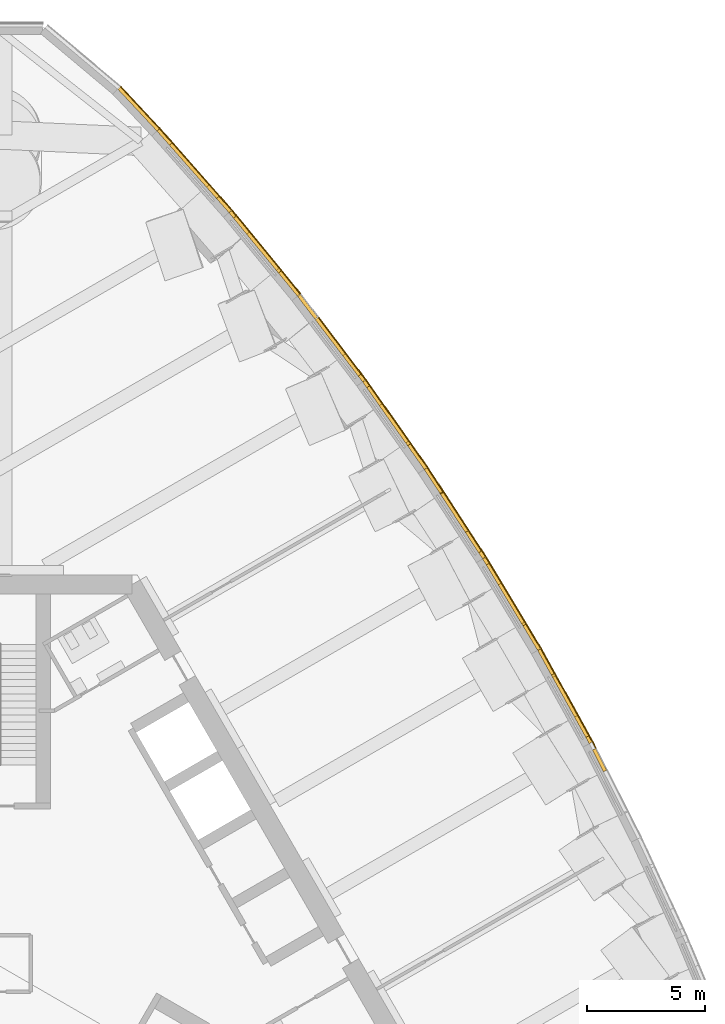
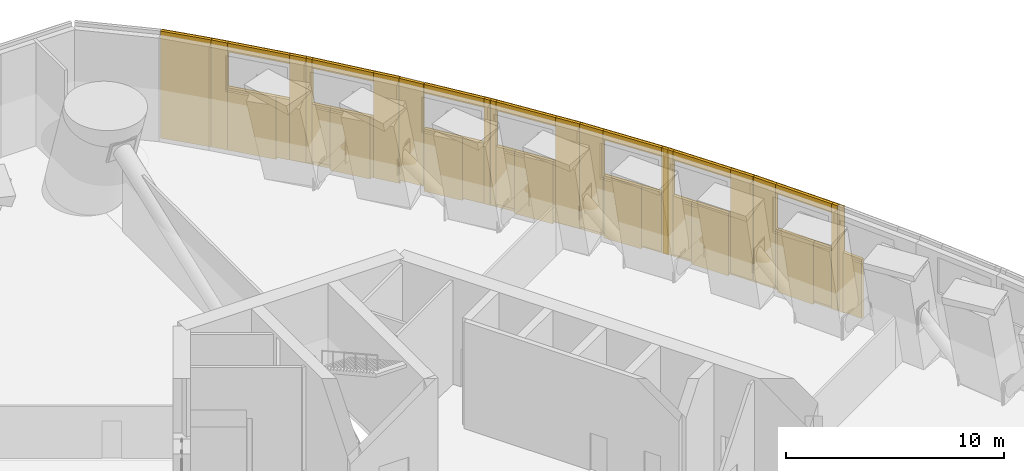
# One storey, part 20 of 25: 70 coverings.
"""IFC4 building model written with IfcOpenShell, lengths in metres."""

from ifc_helpers import new_model, si_unit, direction, frame, origin, origin_2d, place, context, subcontext, project, spatial, rectangle, extrude, material, layer, layer_set, type_object, element, save


model = new_model("IFC4")

# Units and contexts
model_context = context("Model", 3, precision=1e-05, world=origin(), true_north=direction((0.0, 1.0)))
body_context = subcontext(model_context, "Body", "Model", "MODEL_VIEW")
ifc_project = project(units=[si_unit("LENGTHUNIT", "METRE"), si_unit("AREAUNIT", "SQUARE_METRE"), si_unit("VOLUMEUNIT", "CUBIC_METRE"), si_unit("PLANEANGLEUNIT", "RADIAN"), si_unit("MASSUNIT", "GRAM", prefix="KILO")], contexts=[model_context])

# Site, building, storey
site_placement = place(None, origin())
site = spatial("IfcSite", under=ifc_project, at=site_placement, CompositionType="ELEMENT")
building_placement = place(site_placement, origin())
building = spatial("IfcBuilding", under=site, at=building_placement, Name="Trefoil Bronze Tower", CompositionType="ELEMENT")
storey_placement = place(building_placement, frame((0.0, 0.0, 178.699951171875)))
storey = spatial("IfcBuildingStorey", under=building, at=storey_placement, Name="L41", CompositionType="ELEMENT", Elevation=178.699951171875)

# Coverings
ifc_material_1 = material(Name="Bronze-finish aluminium rainscreen panel on aluminium rails", Category="aluminium")
ifc_layer_1 = layer(ifc_material_1, 0.0400390625)
ifc_layer_set_1 = layer_set([ifc_layer_1], Name="Bronze cladding panel 40")
covering_type_1 = type_object("IfcCoveringType", Name="Bronze cladding panel 40", PredefinedType="CLADDING", material=ifc_layer_set_1)
for number, where, z_axis, x_axis, name in (
    (1, (25.30908203125, 9.22314453125, 0.0), (0.0, 0.0, 1.0), (-0.452448919873, 0.891790320034, 0.0), "Cladding panel L41 Face 2.6 piece 2"),
    (2, (25.163330078125, 9.498291015625, 0.0), (0.0, 0.0, 1.0), (-0.484312195683, 0.874895249223, 0.0), "Cladding panel L41 Face 2.7 piece 1"),
):
    element("IfcCovering", number, at=place(storey_placement, frame(where, z_axis=z_axis, x_axis=x_axis)), inside=storey, type_object=covering_type_1, Name=name, PredefinedType="CLADDING", context=body_context, shape_type="SweptSolid", body=[
        extrude(rectangle(XDim=0.300048828125, YDim=0.0400390625, at=origin_2d()), origin(), (0.0, 0.0, 1.0), 6.0),
    ])
covering_1_placement = place(storey_placement, frame((23.346923828125, 12.779541015625, 0.0), z_axis=(0.0, 0.0, 1.0), x_axis=(-0.484312195683, 0.874895249223, 0.0)))
element("IfcCovering", 3, at=covering_1_placement, inside=storey, type_object=covering_type_1, Name="Cladding panel L41 Face 2.7 piece 2", PredefinedType="CLADDING", context=body_context, shape_type="SweptSolid", body=[
    extrude(rectangle(XDim=1.20068359375, YDim=0.0400390625, at=origin_2d()), origin(), (0.0, 0.0, 1.0), 6.0),
])
covering_2_placement = place(storey_placement, frame((24.3642578125, 10.94189453125, 0.0), z_axis=(0.0, 0.0, 1.0), x_axis=(-0.484312195683, 0.874895249223, 0.0)))
element("IfcCovering", 4, at=covering_2_placement, inside=storey, type_object=covering_type_1, Name="Cladding panel L41 Face 2.7 piece 3", PredefinedType="CLADDING", context=body_context, shape_type="SweptSolid", body=[
    extrude(rectangle(XDim=3.0, YDim=0.0400390625, at=origin_2d()), origin(), (0.0, 0.0, 1.0), 3.5),
])
covering_3_placement = place(storey_placement, frame((24.3642578125, 10.94189453125, 5.5), z_axis=(0.0, 0.0, 1.0), x_axis=(-0.484312195683, 0.874895249223, 0.0)))
element("IfcCovering", 5, at=covering_3_placement, inside=storey, type_object=covering_type_1, Name="Cladding panel L41 Face 2.7 piece 4", PredefinedType="CLADDING", context=body_context, shape_type="SweptSolid", body=[
    extrude(rectangle(XDim=3.0, YDim=0.0400390625, at=origin_2d()), origin(), (0.0, 0.0, 1.0), 0.5),
])
covering_4_placement = place(storey_placement, frame((22.740966796875, 13.829345703125, 0.0), z_axis=(0.0, 0.0, 1.0), x_axis=(-0.515525413546, 0.85687428949, 0.0)))
element("IfcCovering", 6, at=covering_4_placement, inside=storey, type_object=covering_type_1, Name="Cladding panel L41 Face 2.8 piece 1", PredefinedType="CLADDING", context=body_context, shape_type="SweptSolid", body=[
    extrude(rectangle(XDim=1.20068359375, YDim=0.0400390625, at=origin_2d()), origin(), (0.0, 0.0, 1.0), 6.0),
])
covering_5_placement = place(storey_placement, frame((20.807373046875, 17.042724609375, 0.0), z_axis=(0.0, 0.0, 1.0), x_axis=(-0.515525413546, 0.85687428949, 0.0)))
element("IfcCovering", 7, at=covering_5_placement, inside=storey, type_object=covering_type_1, Name="Cladding panel L41 Face 2.8 piece 2", PredefinedType="CLADDING", context=body_context, shape_type="SweptSolid", body=[
    extrude(rectangle(XDim=0.300048828125, YDim=0.0400390625, at=origin_2d()), origin(), (0.0, 0.0, 1.0), 6.0),
])
covering_6_placement = place(storey_placement, frame((21.658203125, 15.62890625, 0.0), z_axis=(0.0, 0.0, 1.0), x_axis=(-0.515525413546, 0.85687428949, 0.0)))
element("IfcCovering", 8, at=covering_6_placement, inside=storey, type_object=covering_type_1, Name="Cladding panel L41 Face 2.8 piece 3", PredefinedType="CLADDING", context=body_context, shape_type="SweptSolid", body=[
    extrude(rectangle(XDim=3.0, YDim=0.0400390625, at=origin_2d()), origin(), (0.0, 0.0, 1.0), 3.5),
])
covering_7_placement = place(storey_placement, frame((21.658203125, 15.62890625, 5.5), z_axis=(0.0, 0.0, 1.0), x_axis=(-0.515525413546, 0.85687428949, 0.0)))
element("IfcCovering", 9, at=covering_7_placement, inside=storey, type_object=covering_type_1, Name="Cladding panel L41 Face 2.8 piece 4", PredefinedType="CLADDING", context=body_context, shape_type="SweptSolid", body=[
    extrude(rectangle(XDim=3.0, YDim=0.0400390625, at=origin_2d()), origin(), (0.0, 0.0, 1.0), 0.5),
])
covering_8_placement = place(storey_placement, frame((20.64208984375, 17.306884765625, 0.0), z_axis=(0.0, 0.0, 1.0), x_axis=(-0.546088612179, 0.837727418465, 0.0)))
element("IfcCovering", 10, at=covering_8_placement, inside=storey, type_object=covering_type_1, Name="Cladding panel L41 Face 2.9 piece 1", PredefinedType="CLADDING", context=body_context, shape_type="SweptSolid", body=[
    extrude(rectangle(XDim=0.300048828125, YDim=0.0400390625, at=origin_2d()), origin(), (0.0, 0.0, 1.0), 6.0),
])
covering_9_placement = place(storey_placement, frame((18.592529296875, 20.450927734375, 0.0), z_axis=(0.0, 0.0, 1.0), x_axis=(-0.546088612179, 0.837727418465, 0.0)))
element("IfcCovering", 11, at=covering_9_placement, inside=storey, type_object=covering_type_1, Name="Cladding panel L41 Face 2.9 piece 2", PredefinedType="CLADDING", context=body_context, shape_type="SweptSolid", body=[
    extrude(rectangle(XDim=1.20654296875, YDim=0.0400390625, at=origin_2d()), origin(), (0.0, 0.0, 1.0), 6.0),
])
covering_10_placement = place(storey_placement, frame((19.740966796875, 18.68896484375, 0.0), z_axis=(0.0, 0.0, 1.0), x_axis=(-0.546088612179, 0.837727418465, 0.0)))
element("IfcCovering", 12, at=covering_10_placement, inside=storey, type_object=covering_type_1, Name="Cladding panel L41 Face 2.9 piece 3", PredefinedType="CLADDING", context=body_context, shape_type="SweptSolid", body=[
    extrude(rectangle(XDim=3.0, YDim=0.0400390625, at=origin_2d()), origin(), (0.0, 0.0, 1.0), 3.5),
])
covering_11_placement = place(storey_placement, frame((19.740966796875, 18.68896484375, 5.5), z_axis=(0.0, 0.0, 1.0), x_axis=(-0.546088612179, 0.837727418465, 0.0)))
element("IfcCovering", 13, at=covering_11_placement, inside=storey, type_object=covering_type_1, Name="Cladding panel L41 Face 2.9 piece 4", PredefinedType="CLADDING", context=body_context, shape_type="SweptSolid", body=[
    extrude(rectangle(XDim=3.0, YDim=0.0400390625, at=origin_2d()), origin(), (0.0, 0.0, 1.0), 0.5),
])
covering_12_placement = place(storey_placement, frame((17.905517578125, 21.464111328125, 0.0), z_axis=(0.0, 0.0, 1.0), x_axis=(-0.575999283347, 0.817450197617, 0.0)))
element("IfcCovering", 14, at=covering_12_placement, inside=storey, type_object=covering_type_1, Name="Cladding panel L41 Face 2.10 piece 1", PredefinedType="CLADDING", context=body_context, shape_type="SweptSolid", body=[
    extrude(rectangle(XDim=1.21826171875, YDim=0.0400390625, at=origin_2d()), origin(), (0.0, 0.0, 1.0), 6.0),
])
covering_13_placement = place(storey_placement, frame((15.740234375, 24.536865234375, 0.0), z_axis=(0.0, 0.0, 1.0), x_axis=(-0.575999283347, 0.817450197617, 0.0)))
element("IfcCovering", 15, at=covering_13_placement, inside=storey, type_object=covering_type_1, Name="Cladding panel L41 Face 2.10 piece 2", PredefinedType="CLADDING", context=body_context, shape_type="SweptSolid", body=[
    extrude(rectangle(XDim=0.300048828125, YDim=0.0400390625, at=origin_2d()), origin(), (0.0, 0.0, 1.0), 6.0),
])
covering_14_placement = place(storey_placement, frame((16.690673828125, 23.188232421875, 0.0), z_axis=(0.0, 0.0, 1.0), x_axis=(-0.575999283347, 0.817450197617, 0.0)))
element("IfcCovering", 16, at=covering_14_placement, inside=storey, type_object=covering_type_1, Name="Cladding panel L41 Face 2.10 piece 3", PredefinedType="CLADDING", context=body_context, shape_type="SweptSolid", body=[
    extrude(rectangle(XDim=3.0, YDim=0.0400390625, at=origin_2d()), origin(), (0.0, 0.0, 1.0), 3.5),
])
covering_15_placement = place(storey_placement, frame((16.690673828125, 23.188232421875, 5.5), z_axis=(0.0, 0.0, 1.0), x_axis=(-0.575999283347, 0.817450197617, 0.0)))
element("IfcCovering", 17, at=covering_15_placement, inside=storey, type_object=covering_type_1, Name="Cladding panel L41 Face 2.10 piece 4", PredefinedType="CLADDING", context=body_context, shape_type="SweptSolid", body=[
    extrude(rectangle(XDim=3.0, YDim=0.0400390625, at=origin_2d()), origin(), (0.0, 0.0, 1.0), 0.5),
])
covering_16_placement = place(storey_placement, frame((15.556396484375, 24.788330078125, 0.0), z_axis=(0.0, 0.0, 1.0), x_axis=(-0.605252319997, 0.796033685932, 0.0)))
element("IfcCovering", 18, at=covering_16_placement, inside=storey, type_object=covering_type_1, Name="Cladding panel L41 Face 2.11 piece 1", PredefinedType="CLADDING", context=body_context, shape_type="SweptSolid", body=[
    extrude(rectangle(XDim=0.300048828125, YDim=0.0400390625, at=origin_2d()), origin(), (0.0, 0.0, 1.0), 6.0),
])
covering_17_placement = place(storey_placement, frame((14.5576171875, 26.101806640625, 0.0), z_axis=(0.0, 0.0, 1.0), x_axis=(-0.605252319997, 0.796033685932, 0.0)))
element("IfcCovering", 19, at=covering_17_placement, inside=storey, type_object=covering_type_1, Name="Cladding panel L41 Face 2.11 piece 3", PredefinedType="CLADDING", context=body_context, shape_type="SweptSolid", body=[
    extrude(rectangle(XDim=3.0, YDim=0.0400390625, at=origin_2d()), origin(), (0.0, 0.0, 1.0), 3.5),
])
covering_18_placement = place(storey_placement, frame((14.5576171875, 26.101806640625, 5.5), z_axis=(0.0, 0.0, 1.0), x_axis=(-0.605252319997, 0.796033685932, 0.0)))
element("IfcCovering", 20, at=covering_18_placement, inside=storey, type_object=covering_type_1, Name="Cladding panel L41 Face 2.11 piece 4", PredefinedType="CLADDING", context=body_context, shape_type="SweptSolid", body=[
    extrude(rectangle(XDim=3.0, YDim=0.0400390625, at=origin_2d()), origin(), (0.0, 0.0, 1.0), 0.5),
])
covering_19_placement = place(storey_placement, frame((12.494873046875, 28.776611328125, 0.0), z_axis=(0.0, 0.0, 1.0), x_axis=(-0.63383991597, 0.773464259629, 0.0)))
element("IfcCovering", 21, at=covering_19_placement, inside=storey, type_object=covering_type_1, Name="Cladding panel L41 Face 2.12 piece 1", PredefinedType="CLADDING", context=body_context, shape_type="SweptSolid", body=[
    extrude(rectangle(XDim=1.260498046875, YDim=0.0400390625, at=origin_2d()), origin(), (0.0, 0.0, 1.0), 6.0),
])
covering_20_placement = place(storey_placement, frame((10.098876953125, 31.700439453125, 0.0), z_axis=(0.0, 0.0, 1.0), x_axis=(-0.63383991597, 0.773464259629, 0.0)))
element("IfcCovering", 22, at=covering_20_placement, inside=storey, type_object=covering_type_1, Name="Cladding panel L41 Face 2.12 piece 2", PredefinedType="CLADDING", context=body_context, shape_type="SweptSolid", body=[
    extrude(rectangle(XDim=0.300048828125, YDim=0.0400390625, at=origin_2d()), origin(), (0.0, 0.0, 1.0), 6.0),
])
covering_21_placement = place(storey_placement, frame((11.144775390625, 30.424072265625, 0.0), z_axis=(0.0, 0.0, 1.0), x_axis=(-0.63383991597, 0.773464259629, 0.0)))
element("IfcCovering", 23, at=covering_21_placement, inside=storey, type_object=covering_type_1, Name="Cladding panel L41 Face 2.12 piece 3", PredefinedType="CLADDING", context=body_context, shape_type="SweptSolid", body=[
    extrude(rectangle(XDim=3.0, YDim=0.0400390625, at=origin_2d()), origin(), (0.0, 0.0, 1.0), 3.5),
])
covering_22_placement = place(storey_placement, frame((11.144775390625, 30.424072265625, 5.5), z_axis=(0.0, 0.0, 1.0), x_axis=(-0.63383991597, 0.773464259629, 0.0)))
element("IfcCovering", 24, at=covering_22_placement, inside=storey, type_object=covering_type_1, Name="Cladding panel L41 Face 2.12 piece 4", PredefinedType="CLADDING", context=body_context, shape_type="SweptSolid", body=[
    extrude(rectangle(XDim=3.0, YDim=0.0400390625, at=origin_2d()), origin(), (0.0, 0.0, 1.0), 0.5),
])
for number, where, z_axis, x_axis, name in (
    (25, (9.73291015625, 32.12353515625, 0.0), (0.0, 0.0, 1.0), (-0.661751406057, 0.749723333358, 0.0), "Cladding panel L41 Face 2.13 piece 1"),
    (26, (7.22119140625, 34.96923828125, 0.0), (0.0, 0.0, 1.0), (-0.661751406057, 0.749723333358, 0.0), "Cladding panel L41 Face 2.13 piece 2"),
):
    element("IfcCovering", number, at=place(storey_placement, frame(where, z_axis=z_axis, x_axis=x_axis)), inside=storey, type_object=covering_type_1, Name=name, PredefinedType="CLADDING", context=body_context, shape_type="SweptSolid", body=[
        extrude(rectangle(XDim=0.795654296875, YDim=0.0400390625, at=origin_2d()), origin(), (0.0, 0.0, 1.0), 6.0),
    ])
covering_23_placement = place(storey_placement, frame((8.47705078125, 33.54638671875, 0.0), z_axis=(0.0, 0.0, 1.0), x_axis=(-0.661751406057, 0.749723333358, 0.0)))
element("IfcCovering", 27, at=covering_23_placement, inside=storey, type_object=covering_type_1, Name="Cladding panel L41 Face 2.13 piece 3", PredefinedType="CLADDING", context=body_context, shape_type="SweptSolid", body=[
    extrude(rectangle(XDim=3.0, YDim=0.0400390625, at=origin_2d()), origin(), (0.0, 0.0, 1.0), 3.5),
])
covering_24_placement = place(storey_placement, frame((8.47705078125, 33.54638671875, 5.5), z_axis=(0.0, 0.0, 1.0), x_axis=(-0.661751406057, 0.749723333358, 0.0)))
element("IfcCovering", 28, at=covering_24_placement, inside=storey, type_object=covering_type_1, Name="Cladding panel L41 Face 2.13 piece 4", PredefinedType="CLADDING", context=body_context, shape_type="SweptSolid", body=[
    extrude(rectangle(XDim=3.0, YDim=0.0400390625, at=origin_2d()), origin(), (0.0, 0.0, 1.0), 0.5),
])
covering_25_placement = place(storey_placement, frame((6.1259765625, 36.158447265625, 0.0), z_axis=(0.0, 0.0, 1.0), x_axis=(-0.682535770593, 0.730852188791, 0.0)))
element("IfcCovering", 29, at=covering_25_placement, inside=storey, type_object=covering_type_1, Name="Cladding panel L41 Face 2.14 piece 1", PredefinedType="CLADDING", context=body_context, shape_type="SweptSolid", body=[
    extrude(rectangle(XDim=2.420166015625, YDim=0.0400390625, at=origin_2d()), origin(), (0.0, 0.0, 1.0), 6.0),
])
ifc_material_2 = material(Name="Non-combustible mineral wool slab", Category="insulation")
ifc_layer_2 = layer(ifc_material_2, 0.14990234375)
ifc_layer_set_2 = layer_set([ifc_layer_2], Name="Rainscreen insulation 150")
covering_type_2 = type_object("IfcCoveringType", Name="Rainscreen insulation 150", PredefinedType="INSULATION", material=ifc_layer_set_2)
covering_26_placement = place(storey_placement, frame((25.525390625, 8.587158203125, 0.17529296875), z_axis=(0.0, 0.0, 1.0), x_axis=(-0.452448919873, 0.891790320034, 0.0)))
element("IfcCovering", 30, at=covering_26_placement, inside=storey, type_object=covering_type_2, Name="Insulation L41 Face 2.6 piece 3 part 2", PredefinedType="INSULATION", context=body_context, shape_type="SweptSolid", body=[
    extrude(rectangle(XDim=1.030029296875, YDim=0.14990234375, at=origin_2d()), origin(), (0.0, 0.0, 1.0), 3.324951171875),
])
covering_27_placement = place(storey_placement, frame((25.080078125, 9.452392578125, 0.125), z_axis=(0.0, 0.0, 1.0), x_axis=(-0.484312195683, 0.874895249223, 0.0)))
element("IfcCovering", 31, at=covering_27_placement, inside=storey, type_object=covering_type_2, Name="Insulation L41 Face 2.7 piece 1", PredefinedType="INSULATION", context=body_context, shape_type="SweptSolid", body=[
    extrude(rectangle(XDim=0.300048828125, YDim=0.14990234375, at=origin_2d()), origin(), (0.0, 0.0, 1.0), 5.875),
])
covering_28_placement = place(storey_placement, frame((23.263916015625, 12.733642578125, 0.1953125), z_axis=(0.0, 0.0, 1.0), x_axis=(-0.484312195683, 0.874895249223, 0.0)))
element("IfcCovering", 32, at=covering_28_placement, inside=storey, type_object=covering_type_2, Name="Insulation L41 Face 2.7 piece 2", PredefinedType="INSULATION", context=body_context, shape_type="SweptSolid", body=[
    extrude(rectangle(XDim=1.20068359375, YDim=0.14990234375, at=origin_2d()), origin(), (0.0, 0.0, 1.0), 5.804931640625),
])
covering_29_placement = place(storey_placement, frame((24.770263671875, 10.01220703125, 0.22509765625), z_axis=(0.0, 0.0, 1.0), x_axis=(-0.484312195683, 0.874895249223, 0.0)))
element("IfcCovering", 33, at=covering_29_placement, inside=storey, type_object=covering_type_2, Name="Insulation L41 Face 2.7 piece 3", PredefinedType="INSULATION", context=body_context, shape_type="SweptSolid", body=[
    extrude(rectangle(XDim=0.97998046875, YDim=0.14990234375, at=origin_2d()), origin(), (0.0, 0.0, 1.0), 3.27490234375),
])
covering_30_placement = place(storey_placement, frame((24.069091796875, 11.27880859375, 0.0), z_axis=(0.0, 0.0, 1.0), x_axis=(-0.484312195683, 0.874895249223, 0.0)))
element("IfcCovering", 34, at=covering_30_placement, inside=storey, type_object=covering_type_2, Name="Insulation L41 Face 2.7 piece 3 part 2", PredefinedType="INSULATION", context=body_context, shape_type="SweptSolid", body=[
    extrude(rectangle(XDim=1.9150390625, YDim=0.14990234375, at=origin_2d()), origin(), (0.0, 0.0, 1.0), 3.5),
])
covering_31_placement = place(storey_placement, frame((23.580078125, 12.162353515625, 0.2001953125), z_axis=(0.0, 0.0, 1.0), x_axis=(-0.484312195683, 0.874895249223, 0.0)))
element("IfcCovering", 35, at=covering_31_placement, inside=storey, type_object=covering_type_2, Name="Insulation L41 Face 2.7 piece 3 part 3", PredefinedType="INSULATION", context=body_context, shape_type="SweptSolid", body=[
    extrude(rectangle(XDim=0.10498046875, YDim=0.14990234375, at=origin_2d()), origin(), (0.0, 0.0, 1.0), 3.300048828125),
])
covering_32_placement = place(storey_placement, frame((24.281005859375, 10.89599609375, 5.5), z_axis=(0.0, 0.0, 1.0), x_axis=(-0.484312195683, 0.874895249223, 0.0)))
element("IfcCovering", 36, at=covering_32_placement, inside=storey, type_object=covering_type_2, Name="Insulation L41 Face 2.7 piece 4", PredefinedType="INSULATION", context=body_context, shape_type="SweptSolid", body=[
    extrude(rectangle(XDim=3.0, YDim=0.14990234375, at=origin_2d()), origin(), (0.0, 0.0, 1.0), 0.5),
])
covering_33_placement = place(storey_placement, frame((22.659423828125, 13.7802734375, 0.1953125), z_axis=(0.0, 0.0, 1.0), x_axis=(-0.515525413546, 0.85687428949, 0.0)))
element("IfcCovering", 37, at=covering_33_placement, inside=storey, type_object=covering_type_2, Name="Insulation L41 Face 2.8 piece 1", PredefinedType="INSULATION", context=body_context, shape_type="SweptSolid", body=[
    extrude(rectangle(XDim=1.20068359375, YDim=0.14990234375, at=origin_2d()), origin(), (0.0, 0.0, 1.0), 5.804931640625),
])
covering_34_placement = place(storey_placement, frame((20.72607421875, 16.993896484375, 0.125), z_axis=(0.0, 0.0, 1.0), x_axis=(-0.515525413546, 0.85687428949, 0.0)))
element("IfcCovering", 38, at=covering_34_placement, inside=storey, type_object=covering_type_2, Name="Insulation L41 Face 2.8 piece 2", PredefinedType="INSULATION", context=body_context, shape_type="SweptSolid", body=[
    extrude(rectangle(XDim=0.300048828125, YDim=0.14990234375, at=origin_2d()), origin(), (0.0, 0.0, 1.0), 5.875),
])
covering_35_placement = place(storey_placement, frame((22.322998046875, 14.339599609375, 0.2001953125), z_axis=(0.0, 0.0, 1.0), x_axis=(-0.515525413546, 0.85687428949, 0.0)))
element("IfcCovering", 39, at=covering_35_placement, inside=storey, type_object=covering_type_2, Name="Insulation L41 Face 2.8 piece 3", PredefinedType="INSULATION", context=body_context, shape_type="SweptSolid", body=[
    extrude(rectangle(XDim=0.10498046875, YDim=0.14990234375, at=origin_2d()), origin(), (0.0, 0.0, 1.0), 3.300048828125),
])
covering_36_placement = place(storey_placement, frame((21.8017578125, 15.205810546875, 0.0), z_axis=(0.0, 0.0, 1.0), x_axis=(-0.515525413546, 0.85687428949, 0.0)))
element("IfcCovering", 40, at=covering_36_placement, inside=storey, type_object=covering_type_2, Name="Insulation L41 Face 2.8 piece 3 part 2", PredefinedType="INSULATION", context=body_context, shape_type="SweptSolid", body=[
    extrude(rectangle(XDim=1.916748046875, YDim=0.14990234375, at=origin_2d()), origin(), (0.0, 0.0, 1.0), 3.5),
])
covering_37_placement = place(storey_placement, frame((21.0556640625, 16.4462890625, 0.22509765625), z_axis=(0.0, 0.0, 1.0), x_axis=(-0.515525413546, 0.85687428949, 0.0)))
element("IfcCovering", 41, at=covering_37_placement, inside=storey, type_object=covering_type_2, Name="Insulation L41 Face 2.8 piece 3 part 3", PredefinedType="INSULATION", context=body_context, shape_type="SweptSolid", body=[
    extrude(rectangle(XDim=0.978271484375, YDim=0.14990234375, at=origin_2d()), origin(), (0.0, 0.0, 1.0), 3.27490234375),
])
covering_38_placement = place(storey_placement, frame((21.57666015625, 15.580078125, 5.5), z_axis=(0.0, 0.0, 1.0), x_axis=(-0.515525413546, 0.85687428949, 0.0)))
element("IfcCovering", 42, at=covering_38_placement, inside=storey, type_object=covering_type_2, Name="Insulation L41 Face 2.8 piece 4", PredefinedType="INSULATION", context=body_context, shape_type="SweptSolid", body=[
    extrude(rectangle(XDim=3.0, YDim=0.14990234375, at=origin_2d()), origin(), (0.0, 0.0, 1.0), 0.5),
])
covering_39_placement = place(storey_placement, frame((20.5625, 17.2548828125, 0.10986328125), z_axis=(0.0, 0.0, 1.0), x_axis=(-0.546088612179, 0.837727418465, 0.0)))
element("IfcCovering", 43, at=covering_39_placement, inside=storey, type_object=covering_type_2, Name="Insulation L41 Face 2.9 piece 1", PredefinedType="INSULATION", context=body_context, shape_type="SweptSolid", body=[
    extrude(rectangle(XDim=0.300048828125, YDim=0.14990234375, at=origin_2d()), origin(), (0.0, 0.0, 1.0), 5.889892578125),
])
covering_40_placement = place(storey_placement, frame((18.512939453125, 20.399169921875, 0.2451171875), z_axis=(0.0, 0.0, 1.0), x_axis=(-0.546088612179, 0.837727418465, 0.0)))
element("IfcCovering", 44, at=covering_40_placement, inside=storey, type_object=covering_type_2, Name="Insulation L41 Face 2.9 piece 2", PredefinedType="INSULATION", context=body_context, shape_type="SweptSolid", body=[
    extrude(rectangle(XDim=1.20654296875, YDim=0.14990234375, at=origin_2d()), origin(), (0.0, 0.0, 1.0), 5.7548828125),
])
covering_41_placement = place(storey_placement, frame((20.199462890625, 17.81201171875, 0.17529296875), z_axis=(0.0, 0.0, 1.0), x_axis=(-0.546088612179, 0.837727418465, 0.0)))
element("IfcCovering", 45, at=covering_41_placement, inside=storey, type_object=covering_type_2, Name="Insulation L41 Face 2.9 piece 3", PredefinedType="INSULATION", context=body_context, shape_type="SweptSolid", body=[
    extrude(rectangle(XDim=1.030029296875, YDim=0.14990234375, at=origin_2d()), origin(), (0.0, 0.0, 1.0), 3.324951171875),
])
covering_42_placement = place(storey_placement, frame((19.392578125, 19.0498046875, 0.0), z_axis=(0.0, 0.0, 1.0), x_axis=(-0.546088612179, 0.837727418465, 0.0)))
element("IfcCovering", 46, at=covering_42_placement, inside=storey, type_object=covering_type_2, Name="Insulation L41 Face 2.9 piece 3 part 2", PredefinedType="INSULATION", context=body_context, shape_type="SweptSolid", body=[
    extrude(rectangle(XDim=1.925048828125, YDim=0.14990234375, at=origin_2d()), origin(), (0.0, 0.0, 1.0), 3.5),
])
covering_43_placement = place(storey_placement, frame((19.661376953125, 18.63720703125, 5.5), z_axis=(0.0, 0.0, 1.0), x_axis=(-0.546088612179, 0.837727418465, 0.0)))
element("IfcCovering", 47, at=covering_43_placement, inside=storey, type_object=covering_type_2, Name="Insulation L41 Face 2.9 piece 4", PredefinedType="INSULATION", context=body_context, shape_type="SweptSolid", body=[
    extrude(rectangle(XDim=3.0, YDim=0.14990234375, at=origin_2d()), origin(), (0.0, 0.0, 1.0), 0.5),
])
covering_44_placement = place(storey_placement, frame((17.827880859375, 21.4091796875, 0.14013671875), z_axis=(0.0, 0.0, 1.0), x_axis=(-0.575999283347, 0.817450197617, 0.0)))
element("IfcCovering", 48, at=covering_44_placement, inside=storey, type_object=covering_type_2, Name="Insulation L41 Face 2.10 piece 1", PredefinedType="INSULATION", context=body_context, shape_type="SweptSolid", body=[
    extrude(rectangle(XDim=1.21826171875, YDim=0.14990234375, at=origin_2d()), origin(), (0.0, 0.0, 1.0), 5.860107421875),
])
covering_45_placement = place(storey_placement, frame((15.66259765625, 24.482177734375, 0.14501953125), z_axis=(0.0, 0.0, 1.0), x_axis=(-0.575999283347, 0.817450197617, 0.0)))
element("IfcCovering", 49, at=covering_45_placement, inside=storey, type_object=covering_type_2, Name="Insulation L41 Face 2.10 piece 2", PredefinedType="INSULATION", context=body_context, shape_type="SweptSolid", body=[
    extrude(rectangle(XDim=0.300048828125, YDim=0.14990234375, at=origin_2d()), origin(), (0.0, 0.0, 1.0), 5.85498046875),
])
covering_46_placement = place(storey_placement, frame((17.436767578125, 21.964599609375, 0.14501953125), z_axis=(0.0, 0.0, 1.0), x_axis=(-0.575999283347, 0.817450197617, 0.0)))
element("IfcCovering", 50, at=covering_46_placement, inside=storey, type_object=covering_type_2, Name="Insulation L41 Face 2.10 piece 3", PredefinedType="INSULATION", context=body_context, shape_type="SweptSolid", body=[
    extrude(rectangle(XDim=0.139892578125, YDim=0.14990234375, at=origin_2d()), origin(), (0.0, 0.0, 1.0), 3.35498046875),
])
covering_47_placement = place(storey_placement, frame((16.840087890625, 22.81103515625, 0.0), z_axis=(0.0, 0.0, 1.0), x_axis=(-0.575999283347, 0.817450197617, 0.0)))
element("IfcCovering", 51, at=covering_47_placement, inside=storey, type_object=covering_type_2, Name="Insulation L41 Face 2.10 piece 3 part 2", PredefinedType="INSULATION", context=body_context, shape_type="SweptSolid", body=[
    extrude(rectangle(XDim=1.931396484375, YDim=0.14990234375, at=origin_2d()), origin(), (0.0, 0.0, 1.0), 3.5),
])
covering_48_placement = place(storey_placement, frame((16.0166015625, 23.97998046875, 0.27001953125), z_axis=(0.0, 0.0, 1.0), x_axis=(-0.575999283347, 0.817450197617, 0.0)))
element("IfcCovering", 52, at=covering_48_placement, inside=storey, type_object=covering_type_2, Name="Insulation L41 Face 2.10 piece 3 part 3", PredefinedType="INSULATION", context=body_context, shape_type="SweptSolid", body=[
    extrude(rectangle(XDim=0.9287109375, YDim=0.14990234375, at=origin_2d()), origin(), (0.0, 0.0, 1.0), 3.22998046875),
])
covering_49_placement = place(storey_placement, frame((16.613037109375, 23.133544921875, 5.5), z_axis=(0.0, 0.0, 1.0), x_axis=(-0.575999283347, 0.817450197617, 0.0)))
element("IfcCovering", 53, at=covering_49_placement, inside=storey, type_object=covering_type_2, Name="Insulation L41 Face 2.10 piece 4", PredefinedType="INSULATION", context=body_context, shape_type="SweptSolid", body=[
    extrude(rectangle(XDim=3.0, YDim=0.14990234375, at=origin_2d()), origin(), (0.0, 0.0, 1.0), 0.5),
])
covering_50_placement = place(storey_placement, frame((15.480712890625, 24.730712890625, 0.10986328125), z_axis=(0.0, 0.0, 1.0), x_axis=(-0.605252319997, 0.796033685932, 0.0)))
element("IfcCovering", 54, at=covering_50_placement, inside=storey, type_object=covering_type_2, Name="Insulation L41 Face 2.11 piece 1", PredefinedType="INSULATION", context=body_context, shape_type="SweptSolid", body=[
    extrude(rectangle(XDim=0.300048828125, YDim=0.14990234375, at=origin_2d()), origin(), (0.0, 0.0, 1.0), 5.889892578125),
])
covering_51_placement = place(storey_placement, frame((13.19091796875, 27.7421875, 0.2802734375), z_axis=(0.0, 0.0, 1.0), x_axis=(-0.605252319997, 0.796033685932, 0.0)))
element("IfcCovering", 55, at=covering_51_placement, inside=storey, type_object=covering_type_2, Name="Insulation L41 Face 2.11 piece 2", PredefinedType="INSULATION", context=body_context, shape_type="SweptSolid", body=[
    extrude(rectangle(XDim=1.206298828125, YDim=0.14990234375, at=origin_2d()), origin(), (0.0, 0.0, 1.0), 5.719970703125),
])
covering_52_placement = place(storey_placement, frame((15.0615234375, 25.281982421875, 0.125), z_axis=(0.0, 0.0, 1.0), x_axis=(-0.605252319997, 0.796033685932, 0.0)))
element("IfcCovering", 56, at=covering_52_placement, inside=storey, type_object=covering_type_2, Name="Insulation L41 Face 2.11 piece 3", PredefinedType="INSULATION", context=body_context, shape_type="SweptSolid", body=[
    extrude(rectangle(XDim=1.0849609375, YDim=0.14990234375, at=origin_2d()), origin(), (0.0, 0.0, 1.0), 3.375),
])
covering_53_placement = place(storey_placement, frame((14.153564453125, 26.47607421875, 0.0), z_axis=(0.0, 0.0, 1.0), x_axis=(-0.605252319997, 0.796033685932, 0.0)))
element("IfcCovering", 57, at=covering_53_placement, inside=storey, type_object=covering_type_2, Name="Insulation L41 Face 2.11 piece 3 part 2", PredefinedType="INSULATION", context=body_context, shape_type="SweptSolid", body=[
    extrude(rectangle(XDim=1.9150390625, YDim=0.14990234375, at=origin_2d()), origin(), (0.0, 0.0, 1.0), 3.5),
])
covering_54_placement = place(storey_placement, frame((14.48193359375, 26.044189453125, 5.5), z_axis=(0.0, 0.0, 1.0), x_axis=(-0.605252319997, 0.796033685932, 0.0)))
element("IfcCovering", 58, at=covering_54_placement, inside=storey, type_object=covering_type_2, Name="Insulation L41 Face 2.11 piece 4", PredefinedType="INSULATION", context=body_context, shape_type="SweptSolid", body=[
    extrude(rectangle(XDim=3.0, YDim=0.14990234375, at=origin_2d()), origin(), (0.0, 0.0, 1.0), 0.5),
])
covering_55_placement = place(storey_placement, frame((12.42138671875, 28.71630859375, 0.115234375), z_axis=(0.0, 0.0, 1.0), x_axis=(-0.63383991597, 0.773464259629, 0.0)))
element("IfcCovering", 59, at=covering_55_placement, inside=storey, type_object=covering_type_2, Name="Insulation L41 Face 2.12 piece 1", PredefinedType="INSULATION", context=body_context, shape_type="SweptSolid", body=[
    extrude(rectangle(XDim=1.260498046875, YDim=0.14990234375, at=origin_2d()), origin(), (0.0, 0.0, 1.0), 5.885009765625),
])
covering_56_placement = place(storey_placement, frame((10.025390625, 31.64013671875, 0.169921875), z_axis=(0.0, 0.0, 1.0), x_axis=(-0.63383991597, 0.773464259629, 0.0)))
element("IfcCovering", 60, at=covering_56_placement, inside=storey, type_object=covering_type_2, Name="Insulation L41 Face 2.12 piece 2", PredefinedType="INSULATION", context=body_context, shape_type="SweptSolid", body=[
    extrude(rectangle(XDim=0.300048828125, YDim=0.14990234375, at=origin_2d()), origin(), (0.0, 0.0, 1.0), 5.830078125),
])
covering_57_placement = place(storey_placement, frame((11.974365234375, 29.26171875, 0.10986328125), z_axis=(0.0, 0.0, 1.0), x_axis=(-0.63383991597, 0.773464259629, 0.0)))
element("IfcCovering", 61, at=covering_57_placement, inside=storey, type_object=covering_type_2, Name="Insulation L41 Face 2.12 piece 3", PredefinedType="INSULATION", context=body_context, shape_type="SweptSolid", body=[
    extrude(rectangle(XDim=0.14990234375, YDim=0.14990234375, at=origin_2d()), origin(), (0.0, 0.0, 1.0), 3.389892578125),
])
covering_58_placement = place(storey_placement, frame((11.30322265625, 30.080810546875, 0.0), z_axis=(0.0, 0.0, 1.0), x_axis=(-0.63383991597, 0.773464259629, 0.0)))
element("IfcCovering", 62, at=covering_58_placement, inside=storey, type_object=covering_type_2, Name="Insulation L41 Face 2.12 piece 3 part 2", PredefinedType="INSULATION", context=body_context, shape_type="SweptSolid", body=[
    extrude(rectangle(XDim=1.968017578125, YDim=0.14990234375, at=origin_2d()), origin(), (0.0, 0.0, 1.0), 3.5),
])
covering_59_placement = place(storey_placement, frame((10.39990234375, 31.18310546875, 0.2900390625), z_axis=(0.0, 0.0, 1.0), x_axis=(-0.63383991597, 0.773464259629, 0.0)))
element("IfcCovering", 63, at=covering_59_placement, inside=storey, type_object=covering_type_2, Name="Insulation L41 Face 2.12 piece 3 part 3", PredefinedType="INSULATION", context=body_context, shape_type="SweptSolid", body=[
    extrude(rectangle(XDim=0.882080078125, YDim=0.14990234375, at=origin_2d()), origin(), (0.0, 0.0, 1.0), 3.2099609375),
])
covering_60_placement = place(storey_placement, frame((11.0712890625, 30.364013671875, 5.5), z_axis=(0.0, 0.0, 1.0), x_axis=(-0.63383991597, 0.773464259629, 0.0)))
element("IfcCovering", 64, at=covering_60_placement, inside=storey, type_object=covering_type_2, Name="Insulation L41 Face 2.12 piece 4", PredefinedType="INSULATION", context=body_context, shape_type="SweptSolid", body=[
    extrude(rectangle(XDim=3.0, YDim=0.14990234375, at=origin_2d()), origin(), (0.0, 0.0, 1.0), 0.5),
])
covering_61_placement = place(storey_placement, frame((9.66162109375, 32.060546875, 0.1298828125), z_axis=(0.0, 0.0, 1.0), x_axis=(-0.661751406057, 0.749723333358, 0.0)))
element("IfcCovering", 65, at=covering_61_placement, inside=storey, type_object=covering_type_2, Name="Insulation L41 Face 2.13 piece 1", PredefinedType="INSULATION", context=body_context, shape_type="SweptSolid", body=[
    extrude(rectangle(XDim=0.795654296875, YDim=0.14990234375, at=origin_2d()), origin(), (0.0, 0.0, 1.0), 5.8701171875),
])
covering_62_placement = place(storey_placement, frame((7.14990234375, 34.90625, 0.0), z_axis=(0.0, 0.0, 1.0), x_axis=(-0.661751406057, 0.749723333358, 0.0)))
element("IfcCovering", 66, at=covering_62_placement, inside=storey, type_object=covering_type_2, Name="Insulation L41 Face 2.13 piece 2", PredefinedType="INSULATION", context=body_context, shape_type="SweptSolid", body=[
    extrude(rectangle(XDim=0.795654296875, YDim=0.14990234375, at=origin_2d()), origin(), (0.0, 0.0, 1.0), 6.0),
])
covering_63_placement = place(storey_placement, frame((9.186767578125, 32.598876953125, 0.115234375), z_axis=(0.0, 0.0, 1.0), x_axis=(-0.661751406057, 0.749723333358, 0.0)))
element("IfcCovering", 67, at=covering_63_placement, inside=storey, type_object=covering_type_2, Name="Insulation L41 Face 2.13 piece 3", PredefinedType="INSULATION", context=body_context, shape_type="SweptSolid", body=[
    extrude(rectangle(XDim=0.639892578125, YDim=0.14990234375, at=origin_2d()), origin(), (0.0, 0.0, 1.0), 3.385009765625),
])
covering_64_placement = place(storey_placement, frame((8.194091796875, 33.723388671875, 0.0), z_axis=(0.0, 0.0, 1.0), x_axis=(-0.661751406057, 0.749723333358, 0.0)))
element("IfcCovering", 68, at=covering_64_placement, inside=storey, type_object=covering_type_2, Name="Insulation L41 Face 2.13 piece 3 part 2", PredefinedType="INSULATION", context=body_context, shape_type="SweptSolid", body=[
    extrude(rectangle(XDim=2.360107421875, YDim=0.14990234375, at=origin_2d()), origin(), (0.0, 0.0, 1.0), 3.5),
])
covering_65_placement = place(storey_placement, frame((8.40576171875, 33.4833984375, 5.5), z_axis=(0.0, 0.0, 1.0), x_axis=(-0.661751406057, 0.749723333358, 0.0)))
element("IfcCovering", 69, at=covering_65_placement, inside=storey, type_object=covering_type_2, Name="Insulation L41 Face 2.13 piece 4", PredefinedType="INSULATION", context=body_context, shape_type="SweptSolid", body=[
    extrude(rectangle(XDim=3.0, YDim=0.14990234375, at=origin_2d()), origin(), (0.0, 0.0, 1.0), 0.5),
])
covering_66_placement = place(storey_placement, frame((6.056640625, 36.093505859375, 0.0), z_axis=(0.0, 0.0, 1.0), x_axis=(-0.682535770593, 0.730852188791, 0.0)))
element("IfcCovering", 70, at=covering_66_placement, inside=storey, type_object=covering_type_2, Name="Insulation L41 Face 2.14 piece 1", PredefinedType="INSULATION", context=body_context, shape_type="SweptSolid", body=[
    extrude(rectangle(XDim=2.420166015625, YDim=0.14990234375, at=origin_2d()), origin(), (0.0, 0.0, 1.0), 6.0),
])

save(model, "model.ifc")
